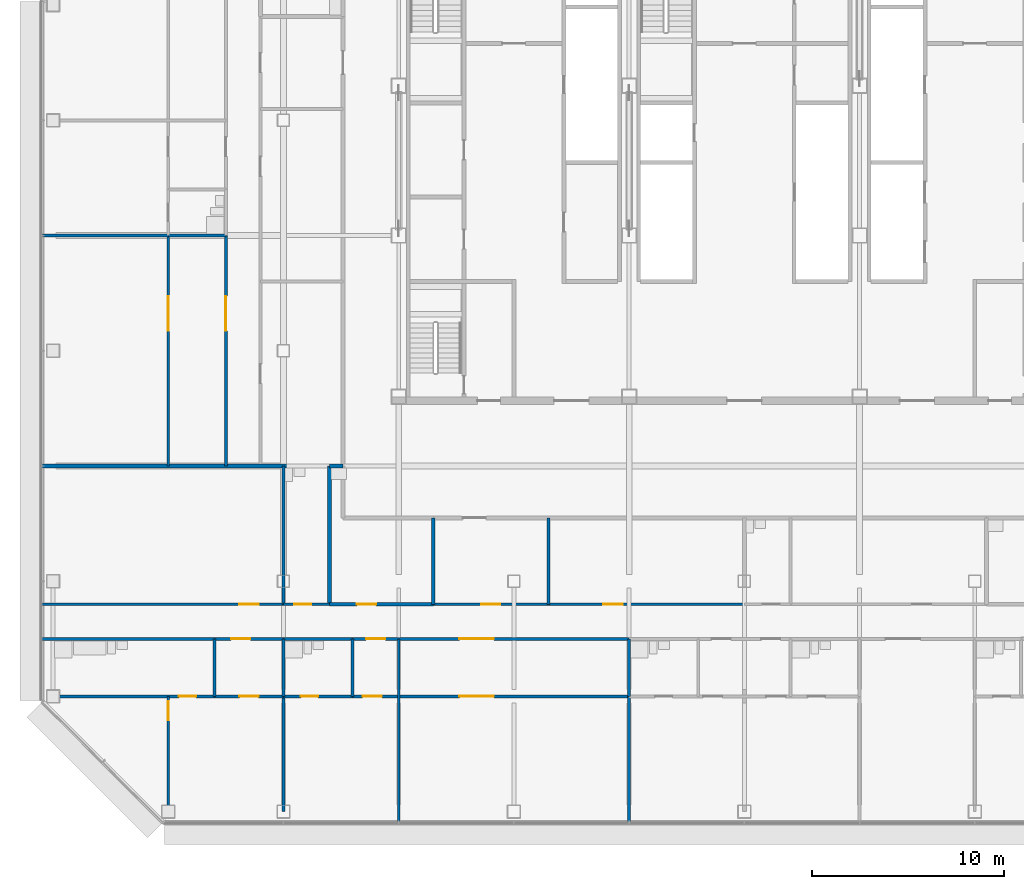
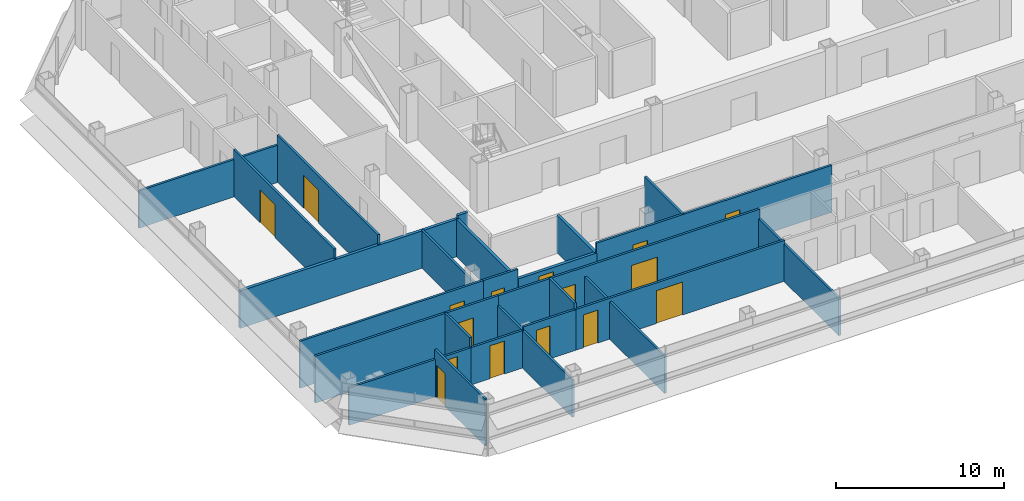
# One storey, part 17 of 27: 30 walls, 16 doors, 16 openings.
"""IFC4 building model written with IfcOpenShell, lengths in metres."""

from ifc_helpers import new_model, si_unit, direction, frame, frame_2d, origin, place, context, subcontext, project, spatial, rectangle, extrude, material, layer, layer_set, type_object, element, fill, save


model = new_model("IFC4")

# Units and contexts
model_context = context("Model", 3, precision=1e-05, world=origin(), true_north=direction((0.0, 1.0)))
body_context = subcontext(model_context, "Body", "Model", "MODEL_VIEW")
ifc_project = project(units=[si_unit("LENGTHUNIT", "METRE"), si_unit("AREAUNIT", "SQUARE_METRE"), si_unit("VOLUMEUNIT", "CUBIC_METRE"), si_unit("PLANEANGLEUNIT", "RADIAN"), si_unit("MASSUNIT", "GRAM", prefix="KILO")], contexts=[model_context])

# Site, building, storey
site_placement = place(None, origin())
site = spatial("IfcSite", under=ifc_project, at=site_placement, CompositionType="ELEMENT")
building_placement = place(site_placement, origin())
building = spatial("IfcBuilding", under=site, at=building_placement, Name="Sorahane Residences", CompositionType="ELEMENT")
storey_placement = place(building_placement, frame((0.0, 0.0, 192.0)))
storey = spatial("IfcBuildingStorey", under=building, at=storey_placement, Name="L44", CompositionType="ELEMENT", Elevation=192.0)

# Walls
ifc_material_1 = material(Name="Concrete blockwork C20 wall", Category="masonry")
ifc_layer_1 = layer(ifc_material_1, 0.199951171875)
ifc_layer_set_1 = layer_set([ifc_layer_1], Name="Kitchen wall 200 EI 180")
wall_type_1 = type_object("IfcWallType", Name="Kitchen wall 200 EI 180", PredefinedType="SOLIDWALL", material=ifc_layer_set_1)
wall_1_placement = place(storey_placement, frame((2.39990234375, 10.800048828125, 0.0), z_axis=(0.0, 0.0, 1.0), x_axis=(0.0, 1.0, 0.0)))
element("IfcWall", 1, at=wall_1_placement, inside=storey, type_object=wall_type_1, Name="L44 kitchen wall", PredefinedType="SOLIDWALL", context=body_context, shape_type="SweptSolid", body=[
    extrude(rectangle(XDim=7.199951171875, YDim=0.199951171875, at=frame_2d((3.60009765625, 0.0))), origin(), (0.0, 0.0, 1.0), 2.719970703125),
])
wall_2_placement = place(storey_placement, frame((7.800048828125, 10.800048828125, 0.0), z_axis=(0.0, 0.0, 1.0), x_axis=(0.0, 1.0, 0.0)))
element("IfcWall", 2, at=wall_2_placement, inside=storey, type_object=wall_type_1, Name="L44 kitchen wall", PredefinedType="SOLIDWALL", context=body_context, shape_type="SweptSolid", body=[
    extrude(rectangle(XDim=4.5, YDim=0.199951171875, at=frame_2d((2.25, 0.0))), origin(), (0.0, 0.0, 1.0), 2.719970703125),
])

# Wall, opening, door
wall_3_placement = place(storey_placement, frame((2.39990234375, 10.800048828125, 0.0), z_axis=(0.0, 0.0, 1.0), x_axis=(1.0, 0.0, 0.0)))
wall_3 = element("IfcWall", 3, at=wall_3_placement, inside=storey, type_object=wall_type_1, Name="L44 kitchen wall", PredefinedType="SOLIDWALL", context=body_context, shape_type="SweptSolid", body=[
    extrude(rectangle(XDim=5.400146484375, YDim=0.199951171875, at=frame_2d((2.7001953125, 0.0))), origin(), (0.0, 0.0, 1.0), 2.719970703125),
])
opening_1_placement = place(wall_3_placement, frame((1.419921875, 0.0, 0.0)))
opening_1 = element("IfcOpeningElement", 4, at=opening_1_placement, cuts=wall_3, Name="Opening L44-04", PredefinedType="OPENING", context=body_context, shape_type="SweptSolid", body=[
    extrude(rectangle(XDim=1.0, YDim=2.39990234375, at=frame_2d((0.5, 1.199951171875))), frame((0.0, 0.10986328125, 0.0), z_axis=(0.0, -1.0, 0.0), x_axis=(1.0, 0.0, 0.0)), (0.0, 0.0, 1.0), 0.219970703125),
])
ifc_material_2 = material(Name="Steel", Category="steel")
door_type_1 = type_object("IfcDoorType", Name="Kitchen door 1000x2400 FD120", OperationType="NOTDEFINED", PredefinedType="DOOR", material=ifc_material_2)
door_1_placement = place(opening_1_placement, origin())
door_1 = element("IfcDoor", 5, at=door_1_placement, inside=storey, type_object=door_type_1, Name="Kitchen door L44-04", OperationType="SINGLE_SWING_LEFT", OverallHeight=2.39990234375, OverallWidth=1.0, PredefinedType="DOOR", context=body_context, shape_type="SweptSolid", body=[
    extrude(rectangle(XDim=1.0, YDim=2.39990234375, at=frame_2d((0.5, 1.199951171875))), frame((0.0, 0.02490234375, 0.0), z_axis=(0.0, -1.0, 0.0), x_axis=(1.0, 0.0, 0.0)), (0.0, 0.0, 1.0), 0.050048828125),
])
fill(opening_1, door_1)

# Wall
wall_4_placement = place(storey_placement, frame((2.39990234375, 18.0, 0.0), z_axis=(0.0, 0.0, 1.0), x_axis=(1.0, 0.0, 0.0)))
element("IfcWall", 6, at=wall_4_placement, inside=storey, type_object=wall_type_1, Name="L44 kitchen wall", PredefinedType="SOLIDWALL", context=body_context, shape_type="SweptSolid", body=[
    extrude(rectangle(XDim=0.7001953125, YDim=0.199951171875, at=frame_2d((0.35009765625, 0.0))), origin(), (0.0, 0.0, 1.0), 2.969970703125),
])

# Wall, opening, door
ifc_material_3 = material(Name="Gypsum board partition on steel studs", Category="steel")
ifc_layer_2 = layer(ifc_material_3, 0.14990234375)
ifc_layer_set_2 = layer_set([ifc_layer_2], Name="Partition 150 EI 90")
wall_type_2 = type_object("IfcWallType", Name="Partition 150 EI 90", PredefinedType="PARTITIONING", material=ifc_layer_set_2)
wall_5_placement = place(storey_placement, frame((-3.0, 18.0, 0.0), z_axis=(0.0, 0.0, 1.0), x_axis=(0.0, 1.0, 0.0)))
wall_5 = element("IfcWall", 7, at=wall_5_placement, inside=storey, type_object=wall_type_2, Name="L44 partition", PredefinedType="PARTITIONING", context=body_context, shape_type="SweptSolid", body=[
    extrude(rectangle(XDim=12.0, YDim=0.14990234375, at=frame_2d((6.0, 0.0))), origin(), (0.0, 0.0, 1.0), 3.419921875),
])
opening_2_placement = place(wall_5_placement, frame((7.0400390625, 0.0, 0.0)))
opening_2 = element("IfcOpeningElement", 8, at=opening_2_placement, cuts=wall_5, Name="Opening L44-37", PredefinedType="OPENING", context=body_context, shape_type="SweptSolid", body=[
    extrude(rectangle(XDim=1.800048828125, YDim=2.39990234375, at=frame_2d((0.89990234375, 1.199951171875))), frame((0.0, 0.0849609375, 0.0), z_axis=(0.0, -1.0, 0.0), x_axis=(1.0, 0.0, 0.0)), (0.0, 0.0, 1.0), 0.169921875),
])
ifc_material_4 = material(Name="Timber veneered fire door", Category="wood")
door_type_2 = type_object("IfcDoorType", Name="Double door 1800x2400 FD30", OperationType="NOTDEFINED", PredefinedType="DOOR", material=ifc_material_4)
door_2_placement = place(opening_2_placement, origin())
door_2 = element("IfcDoor", 9, at=door_2_placement, inside=storey, type_object=door_type_2, Name="Double door L44-37", OperationType="SINGLE_SWING_LEFT", OverallHeight=2.39990234375, OverallWidth=1.800048828125, PredefinedType="DOOR", context=body_context, shape_type="SweptSolid", body=[
    extrude(rectangle(XDim=1.800048828125, YDim=2.39990234375, at=frame_2d((0.89990234375, 1.199951171875))), frame((0.0, 0.02490234375, 0.0), z_axis=(0.0, -1.0, 0.0), x_axis=(1.0, 0.0, 0.0)), (0.0, 0.0, 1.0), 0.050048828125),
])
fill(opening_2, door_2)

wall_6_placement = place(storey_placement, frame((-6.0, 0.0, 0.0), z_axis=(0.0, 0.0, 1.0), x_axis=(0.0, 1.0, 0.0)))
wall_6 = element("IfcWall", 10, at=wall_6_placement, inside=storey, type_object=wall_type_2, Name="L44 partition", PredefinedType="PARTITIONING", context=body_context, shape_type="SweptSolid", body=[
    extrude(rectangle(XDim=6.0, YDim=0.14990234375, at=frame_2d((3.0, 0.0))), origin(), (0.0, 0.0, 1.0), 3.419921875),
])
opening_3_placement = place(wall_6_placement, frame((4.75, 0.0, 0.0)))
opening_3 = element("IfcOpeningElement", 11, at=opening_3_placement, cuts=wall_6, Name="Opening L44-11", PredefinedType="OPENING", context=body_context, shape_type="SweptSolid", body=[
    extrude(rectangle(XDim=1.0, YDim=2.39990234375, at=frame_2d((0.5, 1.199951171875))), frame((0.0, 0.0849609375, 0.0), z_axis=(0.0, -1.0, 0.0), x_axis=(1.0, 0.0, 0.0)), (0.0, 0.0, 1.0), 0.169921875),
])
ifc_material_5 = material(Name="Timber veneered fire door", Category="wood")
door_type_3 = type_object("IfcDoorType", Name="Room door 1000x2400 FD30", OperationType="NOTDEFINED", PredefinedType="DOOR", material=ifc_material_5)
door_3_placement = place(opening_3_placement, origin())
door_3 = element("IfcDoor", 12, at=door_3_placement, inside=storey, type_object=door_type_3, Name="Room door L44-11", OperationType="SINGLE_SWING_LEFT", OverallHeight=2.39990234375, OverallWidth=1.0, PredefinedType="DOOR", context=body_context, shape_type="SweptSolid", body=[
    extrude(rectangle(XDim=1.0, YDim=2.39990234375, at=frame_2d((0.5, 1.199951171875))), frame((0.0, 0.02490234375, 0.0), z_axis=(0.0, -1.0, 0.0), x_axis=(1.0, 0.0, 0.0)), (0.0, 0.0, 1.0), 0.050048828125),
])
fill(opening_3, door_3)

wall_7_placement = place(storey_placement, frame((-6.0, 18.0, 0.0), z_axis=(0.0, 0.0, 1.0), x_axis=(0.0, 1.0, 0.0)))
wall_7 = element("IfcWall", 13, at=wall_7_placement, inside=storey, type_object=wall_type_2, Name="L44 partition", PredefinedType="PARTITIONING", context=body_context, shape_type="SweptSolid", body=[
    extrude(rectangle(XDim=12.0, YDim=0.14990234375, at=frame_2d((6.0, 0.0))), origin(), (0.0, 0.0, 1.0), 3.419921875),
])
opening_4_placement = place(wall_7_placement, frame((7.0400390625, 0.0, 0.0)))
opening_4 = element("IfcOpeningElement", 14, at=opening_4_placement, cuts=wall_7, Name="Opening L44-40", PredefinedType="OPENING", context=body_context, shape_type="SweptSolid", body=[
    extrude(rectangle(XDim=1.800048828125, YDim=2.39990234375, at=frame_2d((0.89990234375, 1.199951171875))), frame((0.0, 0.0849609375, 0.0), z_axis=(0.0, -1.0, 0.0), x_axis=(1.0, 0.0, 0.0)), (0.0, 0.0, 1.0), 0.169921875),
])
door_4_placement = place(opening_4_placement, origin())
door_4 = element("IfcDoor", 15, at=door_4_placement, inside=storey, type_object=door_type_2, Name="Double door L44-40", OperationType="SINGLE_SWING_LEFT", OverallHeight=2.39990234375, OverallWidth=1.800048828125, PredefinedType="DOOR", context=body_context, shape_type="SweptSolid", body=[
    extrude(rectangle(XDim=1.800048828125, YDim=2.39990234375, at=frame_2d((0.89990234375, 1.199951171875))), frame((0.0, 0.02490234375, 0.0), z_axis=(0.0, -1.0, 0.0), x_axis=(1.0, 0.0, 0.0)), (0.0, 0.0, 1.0), 0.050048828125),
])
fill(opening_4, door_4)

# Walls
wall_8_placement = place(storey_placement, frame((0.0, 0.0, 0.0), z_axis=(0.0, 0.0, 1.0), x_axis=(0.0, 1.0, 0.0)))
element("IfcWall", 16, at=wall_8_placement, inside=storey, type_object=wall_type_2, Name="L44 partition", PredefinedType="PARTITIONING", context=body_context, shape_type="SweptSolid", body=[
    extrude(rectangle(XDim=6.0, YDim=0.14990234375, at=frame_2d((3.0, 0.0))), origin(), (0.0, 0.0, 1.0), 2.719970703125),
])
wall_9_placement = place(storey_placement, frame((13.800048828125, 10.800048828125, 0.0), z_axis=(0.0, 0.0, 1.0), x_axis=(0.0, 1.0, 0.0)))
element("IfcWall", 17, at=wall_9_placement, inside=storey, type_object=wall_type_2, Name="L44 partition", PredefinedType="PARTITIONING", context=body_context, shape_type="SweptSolid", body=[
    extrude(rectangle(XDim=4.5, YDim=0.14990234375, at=frame_2d((2.25, 0.0))), origin(), (0.0, 0.0, 1.0), 3.419921875),
])
wall_10_placement = place(storey_placement, frame((18.0, -0.60009765625, 0.0), z_axis=(0.0, 0.0, 1.0), x_axis=(0.0, 1.0, 0.0)))
element("IfcWall", 18, at=wall_10_placement, inside=storey, type_object=wall_type_2, Name="L44 partition", PredefinedType="PARTITIONING", context=body_context, shape_type="SweptSolid", body=[
    extrude(rectangle(XDim=6.60009765625, YDim=0.14990234375, at=frame_2d((3.300048828125, 0.0))), origin(), (0.0, 0.0, 1.0), 2.719970703125),
])
wall_11_placement = place(storey_placement, frame((6.0, -0.60009765625, 0.0), z_axis=(0.0, 0.0, 1.0), x_axis=(0.0, 1.0, 0.0)))
element("IfcWall", 19, at=wall_11_placement, inside=storey, type_object=wall_type_2, Name="L44 partition", PredefinedType="PARTITIONING", context=body_context, shape_type="SweptSolid", body=[
    extrude(rectangle(XDim=9.60009765625, YDim=0.14990234375, at=frame_2d((4.800048828125, 0.0))), origin(), (0.0, 0.0, 1.0), 2.719970703125),
])

# Wall, opening, door
wall_12_placement = place(storey_placement, frame((-12.60009765625, 10.800048828125, 0.0), z_axis=(0.0, 0.0, 1.0), x_axis=(1.0, 0.0, 0.0)))
wall_12 = element("IfcWall", 20, at=wall_12_placement, inside=storey, type_object=wall_type_2, Name="L44 partition", PredefinedType="PARTITIONING", context=body_context, shape_type="SweptSolid", body=[
    extrude(rectangle(XDim=12.60009765625, YDim=0.14990234375, at=frame_2d((6.300048828125, 0.0))), origin(), (0.0, 0.0, 1.0), 3.419921875),
])
opening_5_placement = place(wall_12_placement, frame((10.300048828125, 0.0, 0.0)))
opening_5 = element("IfcOpeningElement", 21, at=opening_5_placement, cuts=wall_12, Name="Opening L44-02", PredefinedType="OPENING", context=body_context, shape_type="SweptSolid", body=[
    extrude(rectangle(XDim=1.0, YDim=2.39990234375, at=frame_2d((0.5, 1.199951171875))), frame((0.0, 0.0849609375, 0.0), z_axis=(0.0, -1.0, 0.0), x_axis=(1.0, 0.0, 0.0)), (0.0, 0.0, 1.0), 0.169921875),
])
door_5_placement = place(opening_5_placement, origin())
door_5 = element("IfcDoor", 22, at=door_5_placement, inside=storey, type_object=door_type_3, Name="Room door L44-02", OperationType="SINGLE_SWING_RIGHT", OverallHeight=2.39990234375, OverallWidth=1.0, PredefinedType="DOOR", context=body_context, shape_type="SweptSolid", body=[
    extrude(rectangle(XDim=1.0, YDim=2.39990234375, at=frame_2d((0.5, 1.199951171875))), frame((0.0, 0.02490234375, 0.0), z_axis=(0.0, -1.0, 0.0), x_axis=(1.0, 0.0, 0.0)), (0.0, 0.0, 1.0), 0.050048828125),
])
fill(opening_5, door_5)

# Wall, openings, doors
wall_13_placement = place(storey_placement, frame((7.800048828125, 10.800048828125, 0.0), z_axis=(0.0, 0.0, 1.0), x_axis=(1.0, 0.0, 0.0)))
wall_13 = element("IfcWall", 23, at=wall_13_placement, inside=storey, type_object=wall_type_2, Name="L44 partition", PredefinedType="PARTITIONING", context=body_context, shape_type="SweptSolid", body=[
    extrude(rectangle(XDim=16.199951171875, YDim=0.14990234375, at=frame_2d((8.10009765625, 0.0))), origin(), (0.0, 0.0, 1.0), 3.419921875),
])
opening_6_placement = place(wall_13_placement, frame((2.5, 0.0, 0.0)))
opening_6 = element("IfcOpeningElement", 24, at=opening_6_placement, cuts=wall_13, Name="Opening L44-01", PredefinedType="OPENING", context=body_context, shape_type="SweptSolid", body=[
    extrude(rectangle(XDim=1.0, YDim=2.39990234375, at=frame_2d((0.5, 1.199951171875))), frame((0.0, 0.0849609375, 0.0), z_axis=(0.0, -1.0, 0.0), x_axis=(1.0, 0.0, 0.0)), (0.0, 0.0, 1.0), 0.169921875),
])
opening_7_placement = place(wall_13_placement, frame((8.860107421875, 0.0, 0.0)))
opening_7 = element("IfcOpeningElement", 25, at=opening_7_placement, cuts=wall_13, Name="Opening L44-05", PredefinedType="OPENING", context=body_context, shape_type="SweptSolid", body=[
    extrude(rectangle(XDim=1.0, YDim=2.39990234375, at=frame_2d((0.5, 1.199951171875))), frame((0.0, 0.0849609375, 0.0), z_axis=(0.0, -1.0, 0.0), x_axis=(1.0, 0.0, 0.0)), (0.0, 0.0, 1.0), 0.169921875),
])
door_6_placement = place(opening_6_placement, frame((1.0, 0.0, 0.0), z_axis=(0.0, 0.0, 1.0), x_axis=(-1.0, 0.0, 0.0)))
door_6 = element("IfcDoor", 26, at=door_6_placement, inside=storey, type_object=door_type_3, Name="Room door L44-01", OperationType="SINGLE_SWING_LEFT", OverallHeight=2.39990234375, OverallWidth=1.0, PredefinedType="DOOR", context=body_context, shape_type="SweptSolid", body=[
    extrude(rectangle(XDim=1.0, YDim=2.39990234375, at=frame_2d((0.5, 1.199951171875))), frame((0.0, 0.02490234375, 0.0), z_axis=(0.0, -1.0, 0.0), x_axis=(1.0, 0.0, 0.0)), (0.0, 0.0, 1.0), 0.050048828125),
])
fill(opening_6, door_6)
door_7_placement = place(opening_7_placement, origin())
door_7 = element("IfcDoor", 27, at=door_7_placement, inside=storey, type_object=door_type_3, Name="Room door L44-05", OperationType="SINGLE_SWING_RIGHT", OverallHeight=2.39990234375, OverallWidth=1.0, PredefinedType="DOOR", context=body_context, shape_type="SweptSolid", body=[
    extrude(rectangle(XDim=1.0, YDim=2.39990234375, at=frame_2d((0.5, 1.199951171875))), frame((0.0, 0.02490234375, 0.0), z_axis=(0.0, -1.0, 0.0), x_axis=(1.0, 0.0, 0.0)), (0.0, 0.0, 1.0), 0.050048828125),
])
fill(opening_7, door_7)

# Wall
wall_14_placement = place(storey_placement, frame((-12.60009765625, 30.0, 0.0), z_axis=(0.0, 0.0, 1.0), x_axis=(1.0, 0.0, 0.0)))
element("IfcWall", 28, at=wall_14_placement, inside=storey, type_object=wall_type_2, Name="L44 partition", PredefinedType="PARTITIONING", context=body_context, shape_type="SweptSolid", body=[
    extrude(rectangle(XDim=6.60009765625, YDim=0.14990234375, at=frame_2d((3.300048828125, 0.0))), origin(), (0.0, 0.0, 1.0), 2.719970703125),
])

# Wall, opening, door
wall_15_placement = place(storey_placement, frame((-3.60009765625, 6.0, 0.0), z_axis=(0.0, 0.0, 1.0), x_axis=(1.0, 0.0, 0.0)))
wall_15 = element("IfcWall", 29, at=wall_15_placement, inside=storey, type_object=wall_type_2, Name="L44 partition", PredefinedType="PARTITIONING", context=body_context, shape_type="SweptSolid", body=[
    extrude(rectangle(XDim=3.60009765625, YDim=0.14990234375, at=frame_2d((1.800048828125, 0.0))), origin(), (0.0, 0.0, 1.0), 2.719970703125),
])
opening_8_placement = place(wall_15_placement, frame((1.300048828125, 0.0, 0.0)))
opening_8 = element("IfcOpeningElement", 30, at=opening_8_placement, cuts=wall_15, Name="Opening L44-10", PredefinedType="OPENING", context=body_context, shape_type="SweptSolid", body=[
    extrude(rectangle(XDim=1.0, YDim=2.39990234375, at=frame_2d((0.5, 1.199951171875))), frame((0.0, 0.0849609375, 0.0), z_axis=(0.0, -1.0, 0.0), x_axis=(1.0, 0.0, 0.0)), (0.0, 0.0, 1.0), 0.169921875),
])
door_8_placement = place(opening_8_placement, frame((1.0, 0.0, 0.0), z_axis=(0.0, 0.0, 1.0), x_axis=(-1.0, 0.0, 0.0)))
door_8 = element("IfcDoor", 31, at=door_8_placement, inside=storey, type_object=door_type_3, Name="Room door L44-10", OperationType="SINGLE_SWING_RIGHT", OverallHeight=2.39990234375, OverallWidth=1.0, PredefinedType="DOOR", context=body_context, shape_type="SweptSolid", body=[
    extrude(rectangle(XDim=1.0, YDim=2.39990234375, at=frame_2d((0.5, 1.199951171875))), frame((0.0, 0.02490234375, 0.0), z_axis=(0.0, -1.0, 0.0), x_axis=(1.0, 0.0, 0.0)), (0.0, 0.0, 1.0), 0.050048828125),
])
fill(opening_8, door_8)

# Wall, openings, doors
wall_16_placement = place(storey_placement, frame((3.60009765625, 6.0, 0.0), z_axis=(0.0, 0.0, 1.0), x_axis=(1.0, 0.0, 0.0)))
wall_16 = element("IfcWall", 32, at=wall_16_placement, inside=storey, type_object=wall_type_2, Name="L44 partition", PredefinedType="PARTITIONING", context=body_context, shape_type="SweptSolid", body=[
    extrude(rectangle(XDim=14.39990234375, YDim=0.14990234375, at=frame_2d((7.199951171875, 0.0))), origin(), (0.0, 0.0, 1.0), 2.969970703125),
])
opening_9_placement = place(wall_16_placement, frame((0.52001953125, 0.0, 0.0)))
opening_9 = element("IfcOpeningElement", 33, at=opening_9_placement, cuts=wall_16, Name="Opening L44-13", PredefinedType="OPENING", context=body_context, shape_type="SweptSolid", body=[
    extrude(rectangle(XDim=1.0, YDim=2.39990234375, at=frame_2d((0.5, 1.199951171875))), frame((0.0, 0.0849609375, 0.0), z_axis=(0.0, -1.0, 0.0), x_axis=(1.0, 0.0, 0.0)), (0.0, 0.0, 1.0), 0.169921875),
])
opening_10_placement = place(wall_16_placement, frame((5.56005859375, 0.0, 0.0)))
opening_10 = element("IfcOpeningElement", 34, at=opening_10_placement, cuts=wall_16, Name="Opening L44-15", PredefinedType="OPENING", context=body_context, shape_type="SweptSolid", body=[
    extrude(rectangle(XDim=1.800048828125, YDim=2.39990234375, at=frame_2d((0.89990234375, 1.199951171875))), frame((0.0, 0.0849609375, 0.0), z_axis=(0.0, -1.0, 0.0), x_axis=(1.0, 0.0, 0.0)), (0.0, 0.0, 1.0), 0.169921875),
])
door_9_placement = place(opening_10_placement, frame((1.800048828125, 0.0, 0.0), z_axis=(0.0, 0.0, 1.0), x_axis=(-1.0, 0.0, 0.0)))
door_9 = element("IfcDoor", 35, at=door_9_placement, inside=storey, type_object=door_type_2, Name="Double door L44-15", OperationType="SINGLE_SWING_LEFT", OverallHeight=2.39990234375, OverallWidth=1.800048828125, PredefinedType="DOOR", context=body_context, shape_type="SweptSolid", body=[
    extrude(rectangle(XDim=1.800048828125, YDim=2.39990234375, at=frame_2d((0.89990234375, 1.199951171875))), frame((0.0, 0.02490234375, 0.0), z_axis=(0.0, -1.0, 0.0), x_axis=(1.0, 0.0, 0.0)), (0.0, 0.0, 1.0), 0.050048828125),
])
fill(opening_10, door_9)
door_10_placement = place(opening_9_placement, frame((1.0, 0.0, 0.0), z_axis=(0.0, 0.0, 1.0), x_axis=(-1.0, 0.0, 0.0)))
door_10 = element("IfcDoor", 36, at=door_10_placement, inside=storey, type_object=door_type_3, Name="Room door L44-13", OperationType="SINGLE_SWING_LEFT", OverallHeight=2.39990234375, OverallWidth=1.0, PredefinedType="DOOR", context=body_context, shape_type="SweptSolid", body=[
    extrude(rectangle(XDim=1.0, YDim=2.39990234375, at=frame_2d((0.5, 1.199951171875))), frame((0.0, 0.02490234375, 0.0), z_axis=(0.0, -1.0, 0.0), x_axis=(1.0, 0.0, 0.0)), (0.0, 0.0, 1.0), 0.050048828125),
])
fill(opening_9, door_10)

# Wall, opening, door
wall_17_placement = place(storey_placement, frame((-3.60009765625, 9.0, 0.0), z_axis=(0.0, 0.0, 1.0), x_axis=(1.0, 0.0, 0.0)))
wall_17 = element("IfcWall", 37, at=wall_17_placement, inside=storey, type_object=wall_type_2, Name="L44 partition", PredefinedType="PARTITIONING", context=body_context, shape_type="SweptSolid", body=[
    extrude(rectangle(XDim=3.60009765625, YDim=0.14990234375, at=frame_2d((1.800048828125, 0.0))), origin(), (0.0, 0.0, 1.0), 3.419921875),
])
opening_11_placement = place(wall_17_placement, frame((0.8798828125, 0.0, 0.0)))
opening_11 = element("IfcOpeningElement", 38, at=opening_11_placement, cuts=wall_17, Name="Opening L44-06", PredefinedType="OPENING", context=body_context, shape_type="SweptSolid", body=[
    extrude(rectangle(XDim=1.0, YDim=2.39990234375, at=frame_2d((0.5, 1.199951171875))), frame((0.0, 0.0849609375, 0.0), z_axis=(0.0, -1.0, 0.0), x_axis=(1.0, 0.0, 0.0)), (0.0, 0.0, 1.0), 0.169921875),
])
door_11_placement = place(opening_11_placement, frame((1.0, 0.0, 0.0), z_axis=(0.0, 0.0, 1.0), x_axis=(-1.0, 0.0, 0.0)))
door_11 = element("IfcDoor", 39, at=door_11_placement, inside=storey, type_object=door_type_3, Name="Room door L44-06", OperationType="SINGLE_SWING_LEFT", OverallHeight=2.39990234375, OverallWidth=1.0, PredefinedType="DOOR", context=body_context, shape_type="SweptSolid", body=[
    extrude(rectangle(XDim=1.0, YDim=2.39990234375, at=frame_2d((0.5, 1.199951171875))), frame((0.0, 0.02490234375, 0.0), z_axis=(0.0, -1.0, 0.0), x_axis=(1.0, 0.0, 0.0)), (0.0, 0.0, 1.0), 0.050048828125),
])
fill(opening_11, door_11)

# Wall, openings, doors
wall_18_placement = place(storey_placement, frame((3.60009765625, 9.0, 0.0), z_axis=(0.0, 0.0, 1.0), x_axis=(1.0, 0.0, 0.0)))
wall_18 = element("IfcWall", 40, at=wall_18_placement, inside=storey, type_object=wall_type_2, Name="L44 partition", PredefinedType="PARTITIONING", context=body_context, shape_type="SweptSolid", body=[
    extrude(rectangle(XDim=14.39990234375, YDim=0.14990234375, at=frame_2d((7.199951171875, 0.0))), origin(), (0.0, 0.0, 1.0), 3.419921875),
])
opening_12_placement = place(wall_18_placement, frame((0.699951171875, 0.0, 0.0)))
opening_12 = element("IfcOpeningElement", 41, at=opening_12_placement, cuts=wall_18, Name="Opening L44-07", PredefinedType="OPENING", context=body_context, shape_type="SweptSolid", body=[
    extrude(rectangle(XDim=1.0, YDim=2.39990234375, at=frame_2d((0.5, 1.199951171875))), frame((0.0, 0.0849609375, 0.0), z_axis=(0.0, -1.0, 0.0), x_axis=(1.0, 0.0, 0.0)), (0.0, 0.0, 1.0), 0.169921875),
])
opening_13_placement = place(wall_18_placement, frame((5.56005859375, 0.0, 0.0)))
opening_13 = element("IfcOpeningElement", 42, at=opening_13_placement, cuts=wall_18, Name="Opening L44-08", PredefinedType="OPENING", context=body_context, shape_type="SweptSolid", body=[
    extrude(rectangle(XDim=1.800048828125, YDim=2.39990234375, at=frame_2d((0.89990234375, 1.199951171875))), frame((0.0, 0.0849609375, 0.0), z_axis=(0.0, -1.0, 0.0), x_axis=(1.0, 0.0, 0.0)), (0.0, 0.0, 1.0), 0.169921875),
])
door_12_placement = place(opening_13_placement, frame((1.800048828125, 0.0, 0.0), z_axis=(0.0, 0.0, 1.0), x_axis=(-1.0, 0.0, 0.0)))
door_12 = element("IfcDoor", 43, at=door_12_placement, inside=storey, type_object=door_type_2, Name="Double door L44-08", OperationType="SINGLE_SWING_LEFT", OverallHeight=2.39990234375, OverallWidth=1.800048828125, PredefinedType="DOOR", context=body_context, shape_type="SweptSolid", body=[
    extrude(rectangle(XDim=1.800048828125, YDim=2.39990234375, at=frame_2d((0.89990234375, 1.199951171875))), frame((0.0, 0.02490234375, 0.0), z_axis=(0.0, -1.0, 0.0), x_axis=(1.0, 0.0, 0.0)), (0.0, 0.0, 1.0), 0.050048828125),
])
fill(opening_13, door_12)
door_13_placement = place(opening_12_placement, frame((1.0, 0.0, 0.0), z_axis=(0.0, 0.0, 1.0), x_axis=(-1.0, 0.0, 0.0)))
door_13 = element("IfcDoor", 44, at=door_13_placement, inside=storey, type_object=door_type_3, Name="Room door L44-07", OperationType="SINGLE_SWING_RIGHT", OverallHeight=2.39990234375, OverallWidth=1.0, PredefinedType="DOOR", context=body_context, shape_type="SweptSolid", body=[
    extrude(rectangle(XDim=1.0, YDim=2.39990234375, at=frame_2d((0.5, 1.199951171875))), frame((0.0, 0.02490234375, 0.0), z_axis=(0.0, -1.0, 0.0), x_axis=(1.0, 0.0, 0.0)), (0.0, 0.0, 1.0), 0.050048828125),
])
fill(opening_12, door_13)

# Walls
ifc_material_6 = material(Name="Concrete blockwork C20 wall", Category="masonry")
ifc_layer_3 = layer(ifc_material_6, 0.199951171875)
ifc_layer_set_3 = layer_set([ifc_layer_3], Name="Party wall 200 EI 120")
wall_type_3 = type_object("IfcWallType", Name="Party wall 200 EI 120", PredefinedType="SOLIDWALL", material=ifc_layer_set_3)
wall_19_placement = place(storey_placement, frame((-12.60009765625, 18.0, 0.0), z_axis=(0.0, 0.0, 1.0), x_axis=(1.0, 0.0, 0.0)))
element("IfcWall", 45, at=wall_19_placement, inside=storey, type_object=wall_type_3, Name="L44 party wall", PredefinedType="SOLIDWALL", context=body_context, shape_type="SweptSolid", body=[
    extrude(rectangle(XDim=15.0, YDim=0.199951171875, at=frame_2d((7.5, 0.0))), origin(), (0.0, 0.0, 1.0), 2.719970703125),
])
ifc_material_7 = material(Name="Gypsum board partition on steel studs", Category="steel")
ifc_layer_4 = layer(ifc_material_7, 0.14990234375)
ifc_layer_set_4 = layer_set([ifc_layer_4], Name="Wet wall 150 EI 90")
wall_type_4 = type_object("IfcWallType", Name="Wet wall 150 EI 90", PredefinedType="PARTITIONING", material=ifc_layer_set_4)
wall_20_placement = place(storey_placement, frame((-3.60009765625, 6.0, 0.0), z_axis=(0.0, 0.0, 1.0), x_axis=(0.0, 1.0, 0.0)))
element("IfcWall", 46, at=wall_20_placement, inside=storey, type_object=wall_type_4, Name="L44 wet wall", PredefinedType="PARTITIONING", context=body_context, shape_type="SweptSolid", body=[
    extrude(rectangle(XDim=3.0, YDim=0.14990234375, at=frame_2d((1.5, 0.0))), origin(), (0.0, 0.0, 1.0), 3.419921875),
])
wall_21_placement = place(storey_placement, frame((0.0, 6.0, 0.0), z_axis=(0.0, 0.0, 1.0), x_axis=(0.0, 1.0, 0.0)))
element("IfcWall", 47, at=wall_21_placement, inside=storey, type_object=wall_type_4, Name="L44 wet wall", PredefinedType="PARTITIONING", context=body_context, shape_type="SweptSolid", body=[
    extrude(rectangle(XDim=3.0, YDim=0.14990234375, at=frame_2d((1.5, 0.0))), origin(), (0.0, 0.0, 1.0), 2.719970703125),
])
wall_22_placement = place(storey_placement, frame((0.0, 10.800048828125, 0.0), z_axis=(0.0, 0.0, 1.0), x_axis=(0.0, 1.0, 0.0)))
element("IfcWall", 48, at=wall_22_placement, inside=storey, type_object=wall_type_4, Name="L44 wet wall", PredefinedType="PARTITIONING", context=body_context, shape_type="SweptSolid", body=[
    extrude(rectangle(XDim=7.199951171875, YDim=0.14990234375, at=frame_2d((3.60009765625, 0.0))), origin(), (0.0, 0.0, 1.0), 2.719970703125),
])
wall_23_placement = place(storey_placement, frame((18.0, 6.0, 0.0), z_axis=(0.0, 0.0, 1.0), x_axis=(0.0, 1.0, 0.0)))
element("IfcWall", 49, at=wall_23_placement, inside=storey, type_object=wall_type_4, Name="L44 wet wall", PredefinedType="PARTITIONING", context=body_context, shape_type="SweptSolid", body=[
    extrude(rectangle(XDim=3.0, YDim=0.14990234375, at=frame_2d((1.5, 0.0))), origin(), (0.0, 0.0, 1.0), 2.719970703125),
])
wall_24_placement = place(storey_placement, frame((3.60009765625, 6.0, 0.0), z_axis=(0.0, 0.0, 1.0), x_axis=(0.0, 1.0, 0.0)))
element("IfcWall", 50, at=wall_24_placement, inside=storey, type_object=wall_type_4, Name="L44 wet wall", PredefinedType="PARTITIONING", context=body_context, shape_type="SweptSolid", body=[
    extrude(rectangle(XDim=3.0, YDim=0.14990234375, at=frame_2d((1.5, 0.0))), origin(), (0.0, 0.0, 1.0), 3.419921875),
])

# Wall, opening, door
wall_25_placement = place(storey_placement, frame((0.0, 10.800048828125, 0.0), z_axis=(0.0, 0.0, 1.0), x_axis=(1.0, 0.0, 0.0)))
wall_25 = element("IfcWall", 51, at=wall_25_placement, inside=storey, type_object=wall_type_4, Name="L44 wet wall", PredefinedType="PARTITIONING", context=body_context, shape_type="SweptSolid", body=[
    extrude(rectangle(XDim=2.39990234375, YDim=0.14990234375, at=frame_2d((1.199951171875, 0.0))), origin(), (0.0, 0.0, 1.0), 3.419921875),
])
opening_14_placement = place(wall_25_placement, frame((0.550048828125, 0.0, 0.0)))
opening_14 = element("IfcOpeningElement", 52, at=opening_14_placement, cuts=wall_25, Name="Opening L44-03", PredefinedType="OPENING", context=body_context, shape_type="SweptSolid", body=[
    extrude(rectangle(XDim=0.89990234375, YDim=2.39990234375, at=frame_2d((0.449951171875, 1.199951171875))), frame((0.0, 0.0849609375, 0.0), z_axis=(0.0, -1.0, 0.0), x_axis=(1.0, 0.0, 0.0)), (0.0, 0.0, 1.0), 0.169921875),
])
ifc_material_8 = material(Name="Timber veneered fire door", Category="wood")
door_type_4 = type_object("IfcDoorType", Name="Bathroom door 900x2400 FD30", OperationType="NOTDEFINED", PredefinedType="DOOR", material=ifc_material_8)
door_14_placement = place(opening_14_placement, frame((0.89990234375, 0.0, 0.0), z_axis=(0.0, 0.0, 1.0), x_axis=(-1.0, 0.0, 0.0)))
door_14 = element("IfcDoor", 53, at=door_14_placement, inside=storey, type_object=door_type_4, Name="Bathroom door L44-03", OperationType="SINGLE_SWING_LEFT", OverallHeight=2.39990234375, OverallWidth=0.89990234375, PredefinedType="DOOR", context=body_context, shape_type="SweptSolid", body=[
    extrude(rectangle(XDim=0.89990234375, YDim=2.39990234375, at=frame_2d((0.449951171875, 1.199951171875))), frame((0.0, 0.02490234375, 0.0), z_axis=(0.0, -1.0, 0.0), x_axis=(1.0, 0.0, 0.0)), (0.0, 0.0, 1.0), 0.050048828125),
])
fill(opening_14, door_14)

# Wall
wall_26_placement = place(storey_placement, frame((-6.0, 30.0, 0.0), z_axis=(0.0, 0.0, 1.0), x_axis=(1.0, 0.0, 0.0)))
element("IfcWall", 54, at=wall_26_placement, inside=storey, type_object=wall_type_4, Name="L44 wet wall", PredefinedType="PARTITIONING", context=body_context, shape_type="SweptSolid", body=[
    extrude(rectangle(XDim=3.0, YDim=0.14990234375, at=frame_2d((1.5, 0.0))), origin(), (0.0, 0.0, 1.0), 2.719970703125),
])

# Wall, opening, door
wall_27_placement = place(storey_placement, frame((-12.0, 6.0, 0.0), z_axis=(0.0, 0.0, 1.0), x_axis=(1.0, 0.0, 0.0)))
wall_27 = element("IfcWall", 55, at=wall_27_placement, inside=storey, type_object=wall_type_4, Name="L44 wet wall", PredefinedType="PARTITIONING", context=body_context, shape_type="SweptSolid", body=[
    extrude(rectangle(XDim=8.39990234375, YDim=0.14990234375, at=frame_2d((4.199951171875, 0.0))), origin(), (0.0, 0.0, 1.0), 2.719970703125),
])
opening_15_placement = place(wall_27_placement, frame((6.550048828125, 0.0, 0.0)))
opening_15 = element("IfcOpeningElement", 56, at=opening_15_placement, cuts=wall_27, Name="Opening L44-12", PredefinedType="OPENING", context=body_context, shape_type="SweptSolid", body=[
    extrude(rectangle(XDim=0.89990234375, YDim=2.39990234375, at=frame_2d((0.449951171875, 1.199951171875))), frame((0.0, 0.0849609375, 0.0), z_axis=(0.0, -1.0, 0.0), x_axis=(1.0, 0.0, 0.0)), (0.0, 0.0, 1.0), 0.169921875),
])
door_15_placement = place(opening_15_placement, frame((0.89990234375, 0.0, 0.0), z_axis=(0.0, 0.0, 1.0), x_axis=(-1.0, 0.0, 0.0)))
door_15 = element("IfcDoor", 57, at=door_15_placement, inside=storey, type_object=door_type_4, Name="Bathroom door L44-12", OperationType="SINGLE_SWING_LEFT", OverallHeight=2.39990234375, OverallWidth=0.89990234375, PredefinedType="DOOR", context=body_context, shape_type="SweptSolid", body=[
    extrude(rectangle(XDim=0.89990234375, YDim=2.39990234375, at=frame_2d((0.449951171875, 1.199951171875))), frame((0.0, 0.02490234375, 0.0), z_axis=(0.0, -1.0, 0.0), x_axis=(1.0, 0.0, 0.0)), (0.0, 0.0, 1.0), 0.050048828125),
])
fill(opening_15, door_15)

wall_28_placement = place(storey_placement, frame((0.0, 6.0, 0.0), z_axis=(0.0, 0.0, 1.0), x_axis=(1.0, 0.0, 0.0)))
wall_28 = element("IfcWall", 58, at=wall_28_placement, inside=storey, type_object=wall_type_4, Name="L44 wet wall", PredefinedType="PARTITIONING", context=body_context, shape_type="SweptSolid", body=[
    extrude(rectangle(XDim=3.60009765625, YDim=0.14990234375, at=frame_2d((1.800048828125, 0.0))), origin(), (0.0, 0.0, 1.0), 2.969970703125),
])
opening_16_placement = place(wall_28_placement, frame((0.909912109375, 0.0, 0.0)))
opening_16 = element("IfcOpeningElement", 59, at=opening_16_placement, cuts=wall_28, Name="Opening L44-14", PredefinedType="OPENING", context=body_context, shape_type="SweptSolid", body=[
    extrude(rectangle(XDim=0.89990234375, YDim=2.39990234375, at=frame_2d((0.449951171875, 1.199951171875))), frame((0.0, 0.0849609375, 0.0), z_axis=(0.0, -1.0, 0.0), x_axis=(1.0, 0.0, 0.0)), (0.0, 0.0, 1.0), 0.169921875),
])
door_16_placement = place(opening_16_placement, frame((0.89990234375, 0.0, 0.0), z_axis=(0.0, 0.0, 1.0), x_axis=(-1.0, 0.0, 0.0)))
door_16 = element("IfcDoor", 60, at=door_16_placement, inside=storey, type_object=door_type_4, Name="Bathroom door L44-14", OperationType="SINGLE_SWING_LEFT", OverallHeight=2.39990234375, OverallWidth=0.89990234375, PredefinedType="DOOR", context=body_context, shape_type="SweptSolid", body=[
    extrude(rectangle(XDim=0.89990234375, YDim=2.39990234375, at=frame_2d((0.449951171875, 1.199951171875))), frame((0.0, 0.02490234375, 0.0), z_axis=(0.0, -1.0, 0.0), x_axis=(1.0, 0.0, 0.0)), (0.0, 0.0, 1.0), 0.050048828125),
])
fill(opening_16, door_16)

# Walls
wall_29_placement = place(storey_placement, frame((-12.60009765625, 9.0, 0.0), z_axis=(0.0, 0.0, 1.0), x_axis=(1.0, 0.0, 0.0)))
element("IfcWall", 61, at=wall_29_placement, inside=storey, type_object=wall_type_4, Name="L44 wet wall", PredefinedType="PARTITIONING", context=body_context, shape_type="SweptSolid", body=[
    extrude(rectangle(XDim=9.0, YDim=0.14990234375, at=frame_2d((4.5, 0.0))), origin(), (0.0, 0.0, 1.0), 3.419921875),
])
wall_30_placement = place(storey_placement, frame((0.0, 9.0, 0.0), z_axis=(0.0, 0.0, 1.0), x_axis=(1.0, 0.0, 0.0)))
element("IfcWall", 62, at=wall_30_placement, inside=storey, type_object=wall_type_4, Name="L44 wet wall", PredefinedType="PARTITIONING", context=body_context, shape_type="SweptSolid", body=[
    extrude(rectangle(XDim=3.60009765625, YDim=0.14990234375, at=frame_2d((1.800048828125, 0.0))), origin(), (0.0, 0.0, 1.0), 3.419921875),
])

save(model, "model.ifc")
